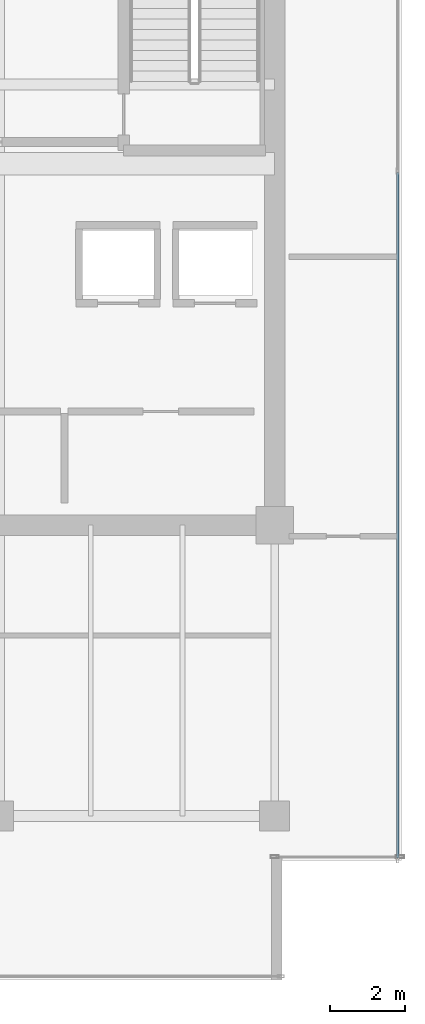
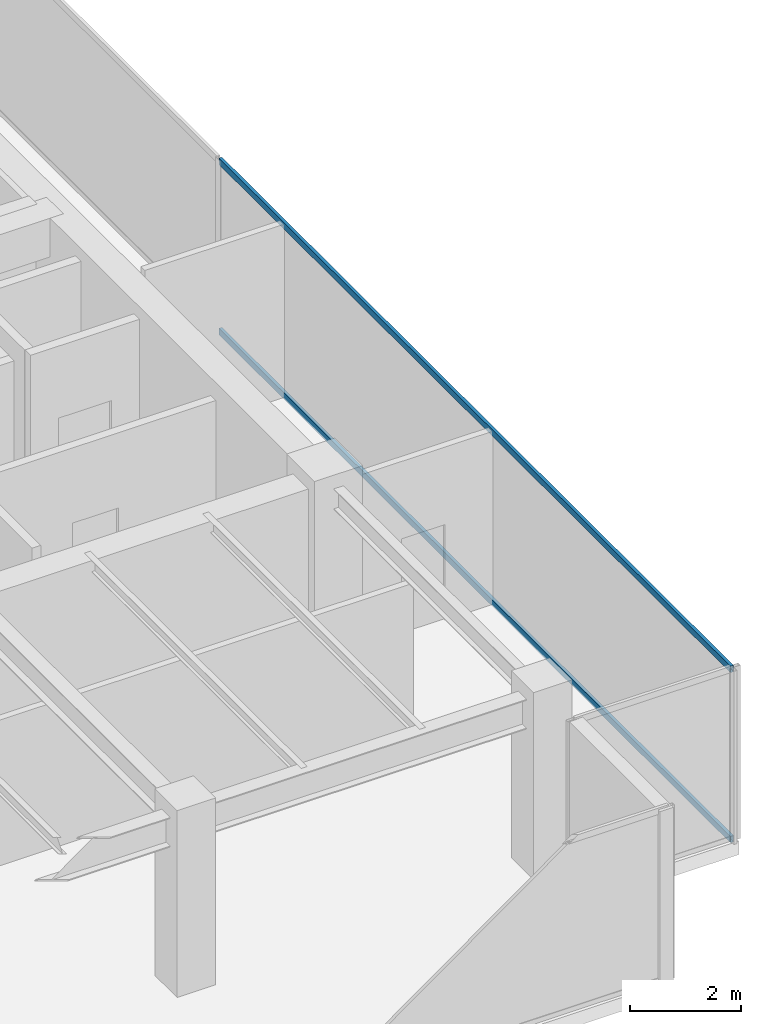
# One storey, part 23 of 33: 2 members, 1 element without a shape of its own.
"""IFC4 building model written with IfcOpenShell, lengths in metres."""

from ifc_helpers import new_model, si_unit, direction, frame, origin, origin_2d, place, context, subcontext, project, spatial, hollow_rectangle, extrude, source, transform, mapped, material, layer, layer_set, material_profile, profile_set, type_object, type_shapes, element, aggregate, save


model = new_model("IFC4")

# Units and contexts
model_context = context("Model", 3, precision=1e-05, world=origin(), true_north=direction((0.0, 1.0)))
body_context = subcontext(model_context, "Body", "Model", "MODEL_VIEW")
ifc_project = project(units=[si_unit("LENGTHUNIT", "METRE"), si_unit("AREAUNIT", "SQUARE_METRE"), si_unit("VOLUMEUNIT", "CUBIC_METRE"), si_unit("PLANEANGLEUNIT", "RADIAN"), si_unit("MASSUNIT", "GRAM", prefix="KILO")], contexts=[model_context])

# Site, building, storey
site_placement = place(None, origin())
site = spatial("IfcSite", under=ifc_project, at=site_placement, CompositionType="ELEMENT")
building_placement = place(site_placement, origin())
building = spatial("IfcBuilding", under=site, at=building_placement, Name="Haelvirn Gate Laboratories", CompositionType="ELEMENT")
storey_placement = place(building_placement, frame((0.0, 0.0, 287.5)))
storey = spatial("IfcBuildingStorey", under=building, at=storey_placement, Name="L69", CompositionType="ELEMENT", Elevation=287.5)

# Curtain wall, members
ifc_material_1 = material(Name="Anodised bronze unitised aluminium & triple low-E glass", Category="aluminium")
ifc_layer = layer(ifc_material_1, 0.176025390625, Name="CW-SYS-4")
ifc_layer_set = layer_set([ifc_layer], Name="Anodised bronze unitised aluminium & triple low-E glass")
curtain_wall_type = type_object("IfcCurtainWallType", Name="CW-SYS-4", PredefinedType="NOTDEFINED", material=ifc_layer_set)
curtain_wall_placement = place(storey_placement, origin())
curtain_wall = element("IfcCurtainWall", 1, at=curtain_wall_placement, inside=storey, type_object=curtain_wall_type, Name="L69 Unitised Curtain Wall CW-L69-P0-E07", PredefinedType="NOTDEFINED")
ifc_material_2 = material(Name="Extruded aluminium 6063-T6 (anodised bronze)", Category="aluminium")
ifc_material_profile = material_profile(ifc_material_2, hollow_rectangle(XDim=0.06494140625, YDim=0.139892578125, WallThickness=0.00390625, at=origin_2d()), Name="CWT-140x65x4")
ifc_profile_set = profile_set([ifc_material_profile], Name="Extruded aluminium 6063-T6 (anodised bronze)")
member_type = type_object("IfcMemberType", Name="CWT-T140", PredefinedType="USERDEFINED", material=ifc_profile_set)
shared_shape = source(origin(), body_context, "Body", "SweptSolid", [
    extrude(hollow_rectangle(XDim=0.06494140625, YDim=0.139892578125, WallThickness=0.00390625, at=origin_2d()), origin(), (0.0, 0.0, 1.0), 18.394775390625),
])
type_shapes(member_type, [shared_shape])
member_1_placement = place(storey_placement, frame((70.699951171875, 5.8701171875, 0.032470703125), z_axis=(0.0, 1.0, 0.0), x_axis=(-1.0, 0.0, 0.0)))
member_1 = element("IfcMember", 2, at=member_1_placement, type_object=member_type, Name="CW4 transom 1.1", ObjectType="TRANSOM", PredefinedType="USERDEFINED", context=body_context, shape_type="MappedRepresentation", body=[
    mapped(shared_shape, transform((0.0, 0.0, 0.0), scale=1.0)),
])
member_2_placement = place(storey_placement, frame((70.699951171875, 5.8701171875, 3.767578125), z_axis=(0.0, 1.0, 0.0), x_axis=(-1.0, 0.0, 0.0)))
member_2 = element("IfcMember", 3, at=member_2_placement, type_object=member_type, Name="CW4 transom 1.2", ObjectType="TRANSOM", PredefinedType="USERDEFINED", context=body_context, shape_type="MappedRepresentation", body=[
    mapped(shared_shape, transform((0.0, 0.0, 0.0), scale=1.0)),
])
aggregate(curtain_wall, [member_1, member_2])

save(model, "model.ifc")
